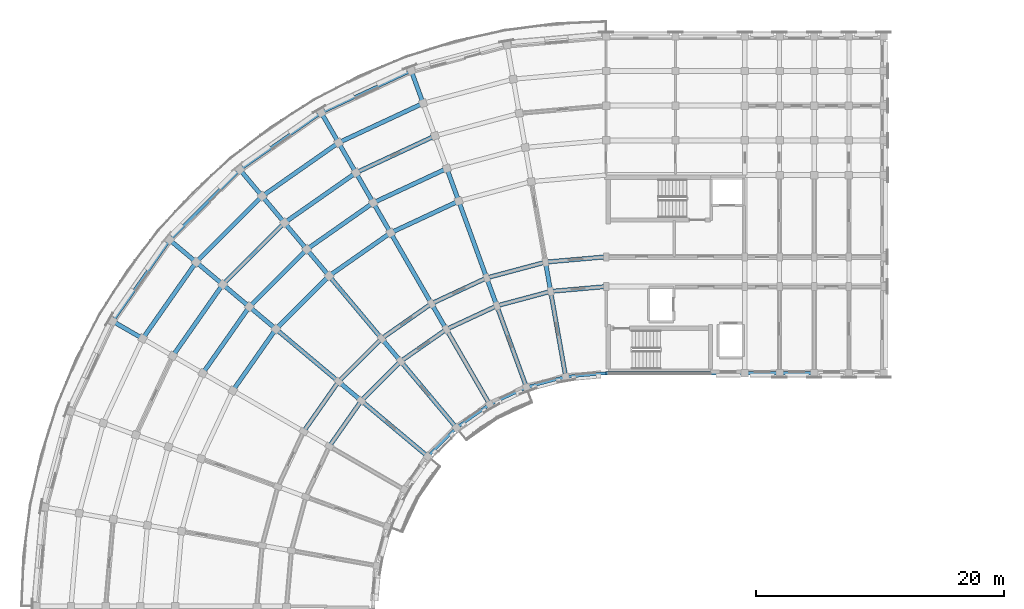
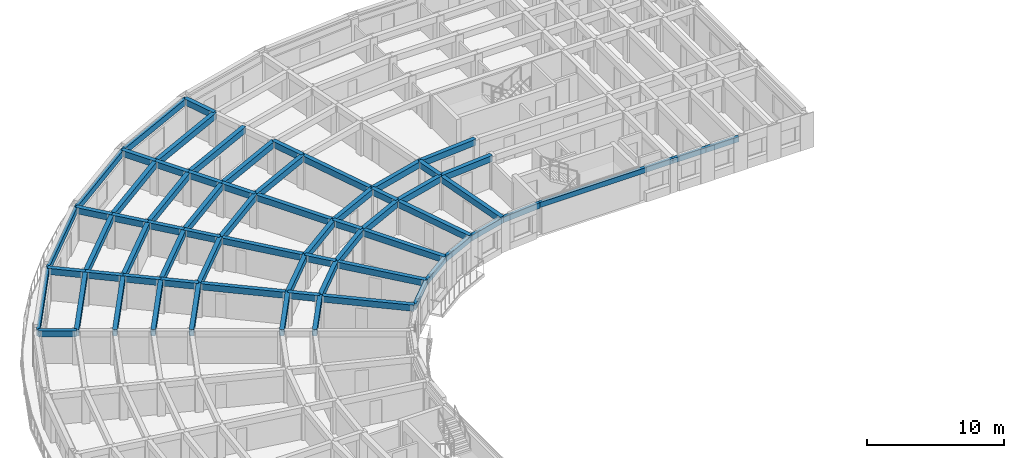
# One storey, part 6 of 53: 69 beams.
"""IFC4 building model written with IfcOpenShell, lengths in metres."""

import ifcopenshell
import ifcopenshell.guid

model = None  # the IFC model being written
_history = None  # IfcOwnerHistory: only IFC2X3 demands one
_inside = {}  # id of a spatial element -> (the spatial element, [elements in it])
_under = {}  # id of a project, library or spatial element -> (it, [spatial elements below it])
_declared = {}  # id of a project -> (the project, [libraries it declares])
_typed = {}  # id of a type object -> (the type object, [elements of that type])
_made_of = {}  # id of a material, layer set ... -> (it, [elements and type objects made of it])


def new_model(schema):
    """Start an empty IFC model of exactly this schema.

    Asked for "IFC4X3", IfcOpenShell would pick the latest addendum, in which some entities
    have other attributes; the version numbers below select the first issue.
    IFC2X3 requires an IfcOwnerHistory on every rooted entity: one is made here for all.
    """
    global model, _history
    if schema == "IFC4X3":
        model = ifcopenshell.file(schema_version=(4, 3, 0, 0))
    else:
        model = ifcopenshell.file(schema=schema)
    _inside.clear()
    _under.clear()
    _declared.clear()
    _typed.clear()
    _made_of.clear()
    _history = None
    if model.schema == "IFC2X3":
        org = make("IfcOrganization", Name="unknown")
        user = make(
            "IfcPersonAndOrganization",
            ThePerson=make("IfcPerson", FamilyName="unknown"),
            TheOrganization=org,
        )
        app = make(
            "IfcApplication",
            ApplicationDeveloper=org,
            Version="unknown",
            ApplicationFullName="unknown",
            ApplicationIdentifier="unknown",
        )
        _history = make(
            "IfcOwnerHistory",
            OwningUser=user,
            OwningApplication=app,
            ChangeAction="ADDED",
            CreationDate=0,
        )
    return model


def make(cls, **values):
    """One entity of the class cls with the attributes given. An attribute that is None is left unset."""
    return model.create_entity(
        cls, **{name: value for name, value in values.items() if value is not None}
    )


def rooted(cls, **values):
    """An entity with a GlobalId (a new one), such as an element, a storey or a relation."""
    return make(cls, GlobalId=ifcopenshell.guid.new(), OwnerHistory=_history, **values)


def si_unit(unit_type, name, prefix=None):
    """IfcSIUnit, for example si_unit("LENGTHUNIT", "METRE", prefix="MILLI")."""
    return make("IfcSIUnit", UnitType=unit_type, Prefix=prefix, Name=name)


def assignment(units):
    """IfcUnitAssignment: the units of a project."""
    return None if units is None else make("IfcUnitAssignment", Units=units)


def point(xyz):
    """IfcCartesianPoint."""
    return None if xyz is None else make("IfcCartesianPoint", Coordinates=xyz)


def direction(xyz):
    """IfcDirection."""
    return None if xyz is None else make("IfcDirection", DirectionRatios=xyz)


def frame(location, z_axis=None, x_axis=None):
    """IfcAxis2Placement3D, a coordinate frame: its origin and axes. An axis left out is left unset."""
    return make(
        "IfcAxis2Placement3D",
        Location=point(location),
        Axis=direction(z_axis),
        RefDirection=direction(x_axis),
    )


def frame_2d(location, x_axis=None):
    """IfcAxis2Placement2D, a coordinate frame in the plane: its origin and x axis."""
    return make(
        "IfcAxis2Placement2D", Location=point(location), RefDirection=direction(x_axis)
    )


def origin():
    """The frame at (0, 0, 0) with its axes left unset."""
    return frame((0.0, 0.0, 0.0))


def origin_2d():
    """The frame at (0, 0) in the plane with its x axis left unset."""
    return frame_2d((0.0, 0.0))


def place(relative_to, where):
    """IfcLocalPlacement: puts the frame where relative to a parent placement (None: the world)."""
    return make(
        "IfcLocalPlacement", PlacementRelTo=relative_to, RelativePlacement=where
    )


def context(
    kind, dimensions, precision=None, world=None, true_north=None, identifier=None
):
    """IfcGeometricRepresentationContext, for example the 3D "Model" context."""
    return make(
        "IfcGeometricRepresentationContext",
        ContextIdentifier=identifier,
        ContextType=kind,
        CoordinateSpaceDimension=dimensions,
        Precision=precision,
        WorldCoordinateSystem=world,
        TrueNorth=true_north,
    )


def subcontext(parent, identifier, kind, view, scale=None):
    """IfcGeometricRepresentationSubContext, for example "Body" below "Model"."""
    return make(
        "IfcGeometricRepresentationSubContext",
        ContextIdentifier=identifier,
        ContextType=kind,
        ParentContext=parent,
        TargetScale=scale,
        TargetView=view,
    )


def project(units=None, contexts=None):
    """IfcProject with its units and contexts."""
    return rooted(
        "IfcProject",
        Name="project",
        RepresentationContexts=contexts,
        UnitsInContext=assignment(units),
    )


def spatial(cls, under=None, at=None, **own):
    """A site, building, storey or space (cls), placed at a placement, below another one or the project."""
    s = rooted(cls, ObjectPlacement=at, **own)
    if under is not None:
        _under.setdefault(under.id(), (under, []))[1].append(s)
    return s


def profile(cls, at=None, kind="AREA", **sizes):
    """A parametric profile (cls). Its sizes go by their IFC names, for example OverallWidth=200.0."""
    return make(cls, ProfileType=kind, Position=at, **sizes)


def rectangle(**sizes):
    """IfcRectangleProfileDef."""
    return profile("IfcRectangleProfileDef", **sizes)


def extrude(swept, where, along, depth):
    """IfcExtrudedAreaSolid: the profile swept, set in the frame where, extruded along a direction by depth."""
    return make(
        "IfcExtrudedAreaSolid",
        SweptArea=swept,
        Position=where,
        ExtrudedDirection=direction(along),
        Depth=depth,
    )


def shape(context_of_items, identifier, shape_type, items):
    """IfcShapeRepresentation: the items that make up one representation, for example the "Body"."""
    return make(
        "IfcShapeRepresentation",
        ContextOfItems=context_of_items,
        RepresentationIdentifier=identifier,
        RepresentationType=shape_type,
        Items=items,
    )


def material(Name=None, Category=None):
    """IfcMaterial."""
    return make("IfcMaterial", Name=Name, Category=Category)


def material_profile(
    of_material, cross_section, Name=None, Category=None, Priority=None
):
    """IfcMaterialProfile: a cross section and its material."""
    return make(
        "IfcMaterialProfile",
        Name=Name,
        Material=of_material,
        Profile=cross_section,
        Priority=Priority,
        Category=Category,
    )


def profile_set(profiles, Name=None, composite=None):
    """IfcMaterialProfileSet."""
    return make(
        "IfcMaterialProfileSet",
        Name=Name,
        MaterialProfiles=profiles,
        CompositeProfile=composite,
    )


def made_of(thing, what):
    """Note that an element or type object is made of a material, layer set ...; save() writes the relation."""
    if what is not None:
        _made_of.setdefault(what.id(), (what, []))[1].append(thing)
    return thing


def type_object(cls, material=None, **own):
    """A type object (cls), such as IfcWallType, which elements share."""
    return made_of(rooted(cls, **own), material)


def element(
    cls,
    number,
    at=None,
    inside=None,
    cuts=None,
    type_object=None,
    material=None,
    context=None,
    identifier="Body",
    shape_type=None,
    held_by="IfcProductDefinitionShape",
    body=None,
    shapes=None,
    **own,
):
    """One element of the class cls, such as IfcWall. Its Tag is "e" and its number.

    at: its placement. inside: the storey or other place that contains it. cuts: it is an
    opening in that element (IfcRelVoidsElement). A single representation is given by context,
    identifier, shape_type and body (its items); several are given by shapes. held_by: the class
    of the entity that holds the representations. save() writes the other relations.
    """
    e = rooted(cls, Tag="e%d" % number, ObjectPlacement=at, **own)
    if body is not None:
        shapes = [shape(context, identifier, shape_type, body)]
    if shapes is not None:
        e.Representation = make(held_by, Representations=shapes)
    if inside is not None:
        _inside.setdefault(inside.id(), (inside, []))[1].append(e)
    if cuts is not None:
        rooted(
            "IfcRelVoidsElement", RelatingBuildingElement=cuts, RelatedOpeningElement=e
        )
    if type_object is not None:
        _typed.setdefault(type_object.id(), (type_object, []))[1].append(e)
    return made_of(e, material)


def aggregate(whole, parts):
    """IfcRelAggregates: a whole, such as a stair, and the parts it consists of."""
    return rooted("IfcRelAggregates", RelatingObject=whole, RelatedObjects=parts)


def save(model, path):
    """Write the relations noted so far, then the file.

    IfcRelAggregates (storeys below a building ...), IfcRelContainedInSpatialStructure (elements
    in a storey), IfcRelDefinesByType, IfcRelAssociatesMaterial and IfcRelDeclares: one each for
    every whole, place, type object, material and project.
    """
    for whole, parts in _under.values():
        aggregate(whole, parts)
    for where, things in _inside.values():
        rooted(
            "IfcRelContainedInSpatialStructure",
            RelatedElements=things,
            RelatingStructure=where,
        )
    for kind, things in _typed.values():
        rooted("IfcRelDefinesByType", RelatedObjects=things, RelatingType=kind)
    for what, things in _made_of.values():
        rooted("IfcRelAssociatesMaterial", RelatedObjects=things, RelatingMaterial=what)
    for by, libraries in _declared.values():
        rooted("IfcRelDeclares", RelatingContext=by, RelatedDefinitions=libraries)
    model.write(path)


model = new_model("IFC4")

# Units and contexts
model_context = context("Model", 3, precision=1e-05, world=origin(), true_north=direction((0.0, 1.0)))
body_context = subcontext(model_context, "Body", "Model", "MODEL_VIEW")
ifc_project = project(units=[si_unit("LENGTHUNIT", "METRE"), si_unit("AREAUNIT", "SQUARE_METRE"), si_unit("VOLUMEUNIT", "CUBIC_METRE"), si_unit("PLANEANGLEUNIT", "RADIAN"), si_unit("MASSUNIT", "GRAM", prefix="KILO")], contexts=[model_context])

# Site, building, storey
site_placement = place(None, origin())
site = spatial("IfcSite", under=ifc_project, at=site_placement, CompositionType="ELEMENT")
building_placement = place(site_placement, origin())
building = spatial("IfcBuilding", under=site, at=building_placement, Name="Kiranvali Square Residences", CompositionType="ELEMENT")
storey_placement = place(building_placement, frame((0.0, 0.0, 30.75)))
storey = spatial("IfcBuildingStorey", under=building, at=storey_placement, Name="L09", CompositionType="ELEMENT", Elevation=30.75)

# Beams
ifc_material = material(Name="Concrete M40 (40 MPa)", Category="concrete")
ifc_material_profile_1 = material_profile(ifc_material, rectangle(XDim=0.35009765625, YDim=0.550048828125, at=origin_2d()), Name="RC 350x550")
ifc_profile_set_1 = profile_set([ifc_material_profile_1], Name="Concrete M40 (40 MPa)")
beam_type_1 = type_object("IfcBeamType", Name="BM-M40-350x550", PredefinedType="BEAM", material=ifc_profile_set_1)
beam_1_placement = place(storey_placement, frame((48.199951171875, 113.60009765625, 2.655029296875), z_axis=(-0.996191949488, -0.087187153726, 0.0), x_axis=(0.087187153726, -0.996191949488, 0.0)))
element("IfcBeam", 1, at=beam_1_placement, inside=storey, type_object=beam_type_1, Name="L09 beam BM-A-L09-C00-R1", PredefinedType="BEAM", context=body_context, shape_type="SweptSolid", body=[
    extrude(rectangle(XDim=0.35009765625, YDim=0.550048828125, at=origin_2d()), origin(), (0.0, 0.0, 1.0), 4.4970703125),
])
beam_2_placement = place(storey_placement, frame((48.199951171875, 116.0, 2.655029296875), z_axis=(-0.996193663584, -0.087167566415, 0.0), x_axis=(0.087167566415, -0.996193663584, 0.0)))
element("IfcBeam", 2, at=beam_2_placement, inside=storey, type_object=beam_type_1, Name="L09 beam BM-A-L09-C00-R2", PredefinedType="BEAM", context=body_context, shape_type="SweptSolid", body=[
    extrude(rectangle(XDim=0.35009765625, YDim=0.550048828125, at=origin_2d()), origin(), (0.0, 0.0, 1.0), 4.91552734375),
])
beam_3_placement = place(storey_placement, frame((43.719970703125, 113.2080078125, 2.655029296875), z_axis=(-0.965934240054, -0.258787642463, 0.0), x_axis=(0.258787642463, -0.965934240054, 0.0)))
element("IfcBeam", 3, at=beam_3_placement, inside=storey, type_object=beam_type_1, Name="L09 beam BM-A-L09-C01-R1", PredefinedType="BEAM", context=body_context, shape_type="SweptSolid", body=[
    extrude(rectangle(XDim=0.35009765625, YDim=0.550048828125, at=origin_2d()), origin(), (0.0, 0.0, 1.0), 4.497314453125),
])
beam_4_placement = place(storey_placement, frame((43.30322265625, 115.571533203125, 2.655029296875), z_axis=(-0.965930095386, -0.258803112091, 0.0), x_axis=(0.258803112091, -0.965930095386, 0.0)))
element("IfcBeam", 4, at=beam_4_placement, inside=storey, type_object=beam_type_1, Name="L09 beam BM-A-L09-C01-R2", PredefinedType="BEAM", context=body_context, shape_type="SweptSolid", body=[
    extrude(rectangle(XDim=0.35009765625, YDim=0.550048828125, at=origin_2d()), origin(), (0.0, 0.0, 1.0), 4.915771484375),
])
beam_5_placement = place(storey_placement, frame((39.3759765625, 112.044189453125, 2.655029296875), z_axis=(-0.906307919131, -0.422617978463, 0.0), x_axis=(0.422617978463, -0.906307919131, 0.0)))
element("IfcBeam", 5, at=beam_5_placement, inside=storey, type_object=beam_type_1, Name="L09 beam BM-A-L09-C02-R1", PredefinedType="BEAM", context=body_context, shape_type="SweptSolid", body=[
    extrude(rectangle(XDim=0.35009765625, YDim=0.550048828125, at=origin_2d()), origin(), (0.0, 0.0, 1.0), 4.497314453125),
])
beam_6_placement = place(storey_placement, frame((38.554931640625, 114.29931640625, 2.655029296875), z_axis=(-0.906302381024, -0.422629854778, 0.0), x_axis=(0.422629854778, -0.906302381024, 0.0)))
element("IfcBeam", 6, at=beam_6_placement, inside=storey, type_object=beam_type_1, Name="L09 beam BM-A-L09-C02-R2", PredefinedType="BEAM", context=body_context, shape_type="SweptSolid", body=[
    extrude(rectangle(XDim=0.35009765625, YDim=0.550048828125, at=origin_2d()), origin(), (0.0, 0.0, 1.0), 4.915283203125),
])
beam_7_placement = place(storey_placement, frame((36.297607421875, 120.501220703125, 2.655029296875), z_axis=(-0.906312656069, -0.42260781991, 0.0), x_axis=(0.42260781991, -0.906312656069, 0.0)))
element("IfcBeam", 7, at=beam_7_placement, inside=storey, type_object=beam_type_1, Name="L09 beam BM-A-L09-C02-R3", PredefinedType="BEAM", context=body_context, shape_type="SweptSolid", body=[
    extrude(rectangle(XDim=0.35009765625, YDim=0.550048828125, at=origin_2d()), origin(), (0.0, 0.0, 1.0), 6.06591796875),
])
beam_8_placement = place(storey_placement, frame((35.340087890625, 123.13232421875, 2.655029296875), z_axis=(-0.906318225223, -0.422595876255, 0.0), x_axis=(0.422595876255, -0.906318225223, 0.0)))
element("IfcBeam", 8, at=beam_8_placement, inside=storey, type_object=beam_type_1, Name="L09 beam BM-A-L09-C02-R4", PredefinedType="BEAM", context=body_context, shape_type="SweptSolid", body=[
    extrude(rectangle(XDim=0.35009765625, YDim=0.550048828125, at=origin_2d()), origin(), (0.0, 0.0, 1.0), 6.55419921875),
])
beam_9_placement = place(storey_placement, frame((34.38232421875, 125.763671875, 2.655029296875), z_axis=(-0.906297360311, -0.422640621205, 0.0), x_axis=(0.422640621205, -0.906297360311, 0.0)))
element("IfcBeam", 9, at=beam_9_placement, inside=storey, type_object=beam_type_1, Name="L09 beam BM-A-L09-C02-R5", PredefinedType="BEAM", context=body_context, shape_type="SweptSolid", body=[
    extrude(rectangle(XDim=0.35009765625, YDim=0.550048828125, at=origin_2d()), origin(), (0.0, 0.0, 1.0), 7.042236328125),
])
beam_10_placement = place(storey_placement, frame((33.4248046875, 128.394775390625, 2.655029296875), z_axis=(-0.90630982703, -0.422613886933, 0.0), x_axis=(0.422613886933, -0.90630982703, 0.0)))
element("IfcBeam", 10, at=beam_10_placement, inside=storey, type_object=beam_type_1, Name="L09 beam BM-A-L09-C02-R6", PredefinedType="BEAM", context=body_context, shape_type="SweptSolid", body=[
    extrude(rectangle(XDim=0.35009765625, YDim=0.550048828125, at=origin_2d()), origin(), (0.0, 0.0, 1.0), 7.5302734375),
])
beam_11_placement = place(storey_placement, frame((35.300048828125, 110.1435546875, 2.655029296875), z_axis=(-0.819155404658, -0.573571637217, 0.0), x_axis=(0.573571637217, -0.819155404658, 0.0)))
element("IfcBeam", 11, at=beam_11_placement, inside=storey, type_object=beam_type_1, Name="L09 beam BM-A-L09-C03-R1", PredefinedType="BEAM", context=body_context, shape_type="SweptSolid", body=[
    extrude(rectangle(XDim=0.35009765625, YDim=0.550048828125, at=origin_2d()), origin(), (0.0, 0.0, 1.0), 4.497314453125),
])
beam_12_placement = place(storey_placement, frame((34.10009765625, 112.221923828125, 2.655029296875), z_axis=(-0.819140911474, -0.573592335331, 0.0), x_axis=(0.573592335331, -0.819140911474, 0.0)))
element("IfcBeam", 12, at=beam_12_placement, inside=storey, type_object=beam_type_1, Name="L09 beam BM-A-L09-C03-R2", PredefinedType="BEAM", context=body_context, shape_type="SweptSolid", body=[
    extrude(rectangle(XDim=0.35009765625, YDim=0.550048828125, at=origin_2d()), origin(), (0.0, 0.0, 1.0), 4.915771484375),
])
beam_13_placement = place(storey_placement, frame((30.800048828125, 117.937744140625, 2.655029296875), z_axis=(-0.81913926159, -0.573594691504, 0.0), x_axis=(0.573594691504, -0.81913926159, 0.0)))
element("IfcBeam", 13, at=beam_13_placement, inside=storey, type_object=beam_type_1, Name="L09 beam BM-A-L09-C03-R3", PredefinedType="BEAM", context=body_context, shape_type="SweptSolid", body=[
    extrude(rectangle(XDim=0.35009765625, YDim=0.550048828125, at=origin_2d()), origin(), (0.0, 0.0, 1.0), 6.066162109375),
])
beam_14_placement = place(storey_placement, frame((29.39990234375, 120.362548828125, 2.655029296875), z_axis=(-0.819144409176, -0.573587340268, 0.0), x_axis=(0.573587340268, -0.819144409176, 0.0)))
element("IfcBeam", 14, at=beam_14_placement, inside=storey, type_object=beam_type_1, Name="L09 beam BM-A-L09-C03-R4", PredefinedType="BEAM", context=body_context, shape_type="SweptSolid", body=[
    extrude(rectangle(XDim=0.35009765625, YDim=0.550048828125, at=origin_2d()), origin(), (0.0, 0.0, 1.0), 6.553955078125),
])
beam_15_placement = place(storey_placement, frame((28.0, 122.787353515625, 2.655029296875), z_axis=(-0.819160249246, -0.57356471828, 0.0), x_axis=(0.57356471828, -0.819160249246, 0.0)))
element("IfcBeam", 15, at=beam_15_placement, inside=storey, type_object=beam_type_1, Name="L09 beam BM-A-L09-C03-R5", PredefinedType="BEAM", context=body_context, shape_type="SweptSolid", body=[
    extrude(rectangle(XDim=0.35009765625, YDim=0.550048828125, at=origin_2d()), origin(), (0.0, 0.0, 1.0), 7.0419921875),
])
beam_16_placement = place(storey_placement, frame((26.60009765625, 125.21240234375, 2.655029296875), z_axis=(-0.819143569597, -0.573588539275, 0.0), x_axis=(0.573588539275, -0.819143569597, 0.0)))
element("IfcBeam", 16, at=beam_16_placement, inside=storey, type_object=beam_type_1, Name="L09 beam BM-A-L09-C03-R6", PredefinedType="BEAM", context=body_context, shape_type="SweptSolid", body=[
    extrude(rectangle(XDim=0.35009765625, YDim=0.550048828125, at=origin_2d()), origin(), (0.0, 0.0, 1.0), 7.5302734375),
])
beam_17_placement = place(storey_placement, frame((31.615966796875, 107.56396484375, 2.655029296875), z_axis=(-0.707106781187, -0.707106781187, 0.0), x_axis=(0.707106781187, -0.707106781187, 0.0)))
element("IfcBeam", 17, at=beam_17_placement, inside=storey, type_object=beam_type_1, Name="L09 beam BM-A-L09-C04-R1", PredefinedType="BEAM", context=body_context, shape_type="SweptSolid", body=[
    extrude(rectangle(XDim=0.35009765625, YDim=0.550048828125, at=origin_2d()), origin(), (0.0, 0.0, 1.0), 4.4970703125),
])
beam_18_placement = place(storey_placement, frame((30.073486328125, 109.40234375, 2.655029296875), z_axis=(-0.707106781187, -0.707106781187, 0.0), x_axis=(0.707106781187, -0.707106781187, 0.0)))
element("IfcBeam", 18, at=beam_18_placement, inside=storey, type_object=beam_type_1, Name="L09 beam BM-A-L09-C04-R2", PredefinedType="BEAM", context=body_context, shape_type="SweptSolid", body=[
    extrude(rectangle(XDim=0.35009765625, YDim=0.550048828125, at=origin_2d()), origin(), (0.0, 0.0, 1.0), 4.91552734375),
])
beam_19_placement = place(storey_placement, frame((25.8310546875, 114.458251953125, 2.655029296875), z_axis=(-0.707106781187, -0.707106781187, 0.0), x_axis=(0.707106781187, -0.707106781187, 0.0)))
element("IfcBeam", 19, at=beam_19_placement, inside=storey, type_object=beam_type_1, Name="L09 beam BM-A-L09-C04-R3", PredefinedType="BEAM", context=body_context, shape_type="SweptSolid", body=[
    extrude(rectangle(XDim=0.35009765625, YDim=0.550048828125, at=origin_2d()), origin(), (0.0, 0.0, 1.0), 6.06591796875),
])
beam_20_placement = place(storey_placement, frame((24.03125, 116.603271484375, 2.655029296875), z_axis=(-0.707106781187, -0.707106781187, 0.0), x_axis=(0.707106781187, -0.707106781187, 0.0)))
element("IfcBeam", 20, at=beam_20_placement, inside=storey, type_object=beam_type_1, Name="L09 beam BM-A-L09-C04-R4", PredefinedType="BEAM", context=body_context, shape_type="SweptSolid", body=[
    extrude(rectangle(XDim=0.35009765625, YDim=0.550048828125, at=origin_2d()), origin(), (0.0, 0.0, 1.0), 6.55419921875),
])
beam_21_placement = place(storey_placement, frame((22.2314453125, 118.748291015625, 2.655029296875), z_axis=(-0.707106781187, -0.707106781187, 0.0), x_axis=(0.707106781187, -0.707106781187, 0.0)))
element("IfcBeam", 21, at=beam_21_placement, inside=storey, type_object=beam_type_1, Name="L09 beam BM-A-L09-C04-R5", PredefinedType="BEAM", context=body_context, shape_type="SweptSolid", body=[
    extrude(rectangle(XDim=0.35009765625, YDim=0.550048828125, at=origin_2d()), origin(), (0.0, 0.0, 1.0), 7.04248046875),
])
beam_22_placement = place(storey_placement, frame((20.431640625, 120.89306640625, 2.655029296875), z_axis=(-0.707106781187, -0.707106781187, 0.0), x_axis=(0.707106781187, -0.707106781187, 0.0)))
element("IfcBeam", 22, at=beam_22_placement, inside=storey, type_object=beam_type_1, Name="L09 beam BM-A-L09-C04-R6", PredefinedType="BEAM", context=body_context, shape_type="SweptSolid", body=[
    extrude(rectangle(XDim=0.35009765625, YDim=0.550048828125, at=origin_2d()), origin(), (0.0, 0.0, 1.0), 7.5302734375),
])
beam_23_placement = place(storey_placement, frame((28.43603515625, 104.384033203125, 2.655029296875), z_axis=(-0.573571637217, -0.819155404658, 0.0), x_axis=(0.819155404658, -0.573571637217, 0.0)))
element("IfcBeam", 23, at=beam_23_placement, inside=storey, type_object=beam_type_1, Name="L09 beam BM-A-L09-C05-R1", PredefinedType="BEAM", context=body_context, shape_type="SweptSolid", body=[
    extrude(rectangle(XDim=0.35009765625, YDim=0.550048828125, at=origin_2d()), origin(), (0.0, 0.0, 1.0), 4.497314453125),
])
beam_24_placement = place(storey_placement, frame((26.59765625, 105.926513671875, 2.655029296875), z_axis=(-0.573592335331, -0.819140911474, 0.0), x_axis=(0.819140911474, -0.573592335331, 0.0)))
element("IfcBeam", 24, at=beam_24_placement, inside=storey, type_object=beam_type_1, Name="L09 beam BM-A-L09-C05-R2", PredefinedType="BEAM", context=body_context, shape_type="SweptSolid", body=[
    extrude(rectangle(XDim=0.35009765625, YDim=0.550048828125, at=origin_2d()), origin(), (0.0, 0.0, 1.0), 4.915771484375),
])
beam_25_placement = place(storey_placement, frame((21.541748046875, 110.1689453125, 2.655029296875), z_axis=(-0.573594691504, -0.81913926159, 0.0), x_axis=(0.81913926159, -0.573594691504, 0.0)))
element("IfcBeam", 25, at=beam_25_placement, inside=storey, type_object=beam_type_1, Name="L09 beam BM-A-L09-C05-R3", PredefinedType="BEAM", context=body_context, shape_type="SweptSolid", body=[
    extrude(rectangle(XDim=0.35009765625, YDim=0.550048828125, at=origin_2d()), origin(), (0.0, 0.0, 1.0), 6.066162109375),
])
beam_26_placement = place(storey_placement, frame((19.396728515625, 111.96875, 2.655029296875), z_axis=(-0.573587340268, -0.819144409176, 0.0), x_axis=(0.819144409176, -0.573587340268, 0.0)))
element("IfcBeam", 26, at=beam_26_placement, inside=storey, type_object=beam_type_1, Name="L09 beam BM-A-L09-C05-R4", PredefinedType="BEAM", context=body_context, shape_type="SweptSolid", body=[
    extrude(rectangle(XDim=0.35009765625, YDim=0.550048828125, at=origin_2d()), origin(), (0.0, 0.0, 1.0), 6.553955078125),
])
beam_27_placement = place(storey_placement, frame((17.251708984375, 113.7685546875, 2.655029296875), z_axis=(-0.57356471828, -0.819160249246, 0.0), x_axis=(0.819160249246, -0.57356471828, 0.0)))
element("IfcBeam", 27, at=beam_27_placement, inside=storey, type_object=beam_type_1, Name="L09 beam BM-A-L09-C05-R5", PredefinedType="BEAM", context=body_context, shape_type="SweptSolid", body=[
    extrude(rectangle(XDim=0.35009765625, YDim=0.550048828125, at=origin_2d()), origin(), (0.0, 0.0, 1.0), 7.0419921875),
])
beam_28_placement = place(storey_placement, frame((15.10693359375, 115.568359375, 2.655029296875), z_axis=(-0.573588539275, -0.819143569597, 0.0), x_axis=(0.819143569597, -0.573588539275, 0.0)))
element("IfcBeam", 28, at=beam_28_placement, inside=storey, type_object=beam_type_1, Name="L09 beam BM-A-L09-C05-R6", PredefinedType="BEAM", context=body_context, shape_type="SweptSolid", body=[
    extrude(rectangle(XDim=0.35009765625, YDim=0.550048828125, at=origin_2d()), origin(), (0.0, 0.0, 1.0), 7.5302734375),
])
beam_29_placement = place(storey_placement, frame((44.935302734375, 106.314453125, 2.655029296875), z_axis=(-0.173622177865, 0.984812337125, 0.0), x_axis=(-0.984812337125, -0.173622177865, 0.0)))
element("IfcBeam", 29, at=beam_29_placement, inside=storey, type_object=beam_type_1, Name="L09 beam BM-A-L09-RAD01-01", PredefinedType="BEAM", context=body_context, shape_type="SweptSolid", body=[
    extrude(rectangle(XDim=0.35009765625, YDim=0.550048828125, at=origin_2d()), origin(), (0.0, 0.0, 1.0), 6.999755859375),
])
beam_30_placement = place(storey_placement, frame((43.719970703125, 113.2080078125, 2.655029296875), z_axis=(-0.173646056486, 0.984808127031, 0.0), x_axis=(-0.984808127031, -0.173646056486, 0.0)))
element("IfcBeam", 30, at=beam_30_placement, inside=storey, type_object=beam_type_1, Name="L09 beam BM-A-L09-RAD01-12", PredefinedType="BEAM", context=body_context, shape_type="SweptSolid", body=[
    extrude(rectangle(XDim=0.35009765625, YDim=0.550048828125, at=origin_2d()), origin(), (0.0, 0.0, 1.0), 2.39990234375),
])
beam_31_placement = place(storey_placement, frame((41.77001953125, 105.46630859375, 2.655029296875), z_axis=(-0.342006283793, 0.939697665127, 0.0), x_axis=(-0.939697665127, -0.342006283793, 0.0)))
element("IfcBeam", 31, at=beam_31_placement, inside=storey, type_object=beam_type_1, Name="L09 beam BM-A-L09-RAD02-01", PredefinedType="BEAM", context=body_context, shape_type="SweptSolid", body=[
    extrude(rectangle(XDim=0.35009765625, YDim=0.550048828125, at=origin_2d()), origin(), (0.0, 0.0, 1.0), 7.0),
])
beam_32_placement = place(storey_placement, frame((39.3759765625, 112.044189453125, 2.655029296875), z_axis=(-0.342110593602, 0.939659694648, 0.0), x_axis=(-0.939659694648, -0.342110593602, 0.0)))
element("IfcBeam", 32, at=beam_32_placement, inside=storey, type_object=beam_type_1, Name="L09 beam BM-A-L09-RAD02-12", PredefinedType="BEAM", context=body_context, shape_type="SweptSolid", body=[
    extrude(rectangle(XDim=0.35009765625, YDim=0.550048828125, at=origin_2d()), origin(), (0.0, 0.0, 1.0), 2.39990234375),
])
beam_33_placement = place(storey_placement, frame((38.554931640625, 114.29931640625, 2.655029296875), z_axis=(-0.342022238372, 0.939691858249, 0.0), x_axis=(-0.939691858249, -0.342022238372, 0.0)))
element("IfcBeam", 33, at=beam_33_placement, inside=storey, type_object=beam_type_1, Name="L09 beam BM-A-L09-RAD02-23", PredefinedType="BEAM", context=body_context, shape_type="SweptSolid", body=[
    extrude(rectangle(XDim=0.35009765625, YDim=0.550048828125, at=origin_2d()), origin(), (0.0, 0.0, 1.0), 6.599853515625),
])
beam_34_placement = place(storey_placement, frame((36.297607421875, 120.501220703125, 2.655029296875), z_axis=(-0.341981089711, 0.93970683422, 0.0), x_axis=(-0.93970683422, -0.341981089711, 0.0)))
element("IfcBeam", 34, at=beam_34_placement, inside=storey, type_object=beam_type_1, Name="L09 beam BM-A-L09-RAD02-34", PredefinedType="BEAM", context=body_context, shape_type="SweptSolid", body=[
    extrude(rectangle(XDim=0.35009765625, YDim=0.550048828125, at=origin_2d()), origin(), (0.0, 0.0, 1.0), 2.7998046875),
])
beam_35_placement = place(storey_placement, frame((33.4248046875, 128.394775390625, 2.655029296875), z_axis=(-0.342058084236, 0.939678810556, 0.0), x_axis=(-0.939678810556, -0.342058084236, 0.0)))
element("IfcBeam", 35, at=beam_35_placement, inside=storey, type_object=beam_type_1, Name="L09 beam BM-A-L09-RAD02-67", PredefinedType="BEAM", context=body_context, shape_type="SweptSolid", body=[
    extrude(rectangle(XDim=0.35009765625, YDim=0.550048828125, at=origin_2d()), origin(), (0.0, 0.0, 1.0), 2.800048828125),
])
beam_36_placement = place(storey_placement, frame((38.800048828125, 104.081298828125, 2.655029296875), z_axis=(-0.499995173006, 0.866028190633, 0.0), x_axis=(-0.866028190633, -0.499995173006, 0.0)))
element("IfcBeam", 36, at=beam_36_placement, inside=storey, type_object=beam_type_1, Name="L09 beam BM-A-L09-RAD03-01", PredefinedType="BEAM", context=body_context, shape_type="SweptSolid", body=[
    extrude(rectangle(XDim=0.35009765625, YDim=0.550048828125, at=origin_2d()), origin(), (0.0, 0.0, 1.0), 7.0),
])
beam_37_placement = place(storey_placement, frame((35.300048828125, 110.1435546875, 2.655029296875), z_axis=(-0.500001309137, 0.866024647952, 0.0), x_axis=(-0.866024647952, -0.500001309137, 0.0)))
element("IfcBeam", 37, at=beam_37_placement, inside=storey, type_object=beam_type_1, Name="L09 beam BM-A-L09-RAD03-12", PredefinedType="BEAM", context=body_context, shape_type="SweptSolid", body=[
    extrude(rectangle(XDim=0.35009765625, YDim=0.550048828125, at=origin_2d()), origin(), (0.0, 0.0, 1.0), 2.39990234375),
])
beam_38_placement = place(storey_placement, frame((34.10009765625, 112.221923828125, 2.655029296875), z_axis=(-0.500002094529, 0.866024194504, 0.0), x_axis=(-0.866024194504, -0.500002094529, 0.0)))
element("IfcBeam", 38, at=beam_38_placement, inside=storey, type_object=beam_type_1, Name="L09 beam BM-A-L09-RAD03-23", PredefinedType="BEAM", context=body_context, shape_type="SweptSolid", body=[
    extrude(rectangle(XDim=0.35009765625, YDim=0.550048828125, at=origin_2d()), origin(), (0.0, 0.0, 1.0), 6.60009765625),
])
beam_39_placement = place(storey_placement, frame((30.800048828125, 117.937744140625, 2.655029296875), z_axis=(-0.500049511043, 0.865996816683, 0.0), x_axis=(-0.865996816683, -0.500049511043, 0.0)))
element("IfcBeam", 39, at=beam_39_placement, inside=storey, type_object=beam_type_1, Name="L09 beam BM-A-L09-RAD03-34", PredefinedType="BEAM", context=body_context, shape_type="SweptSolid", body=[
    extrude(rectangle(XDim=0.35009765625, YDim=0.550048828125, at=origin_2d()), origin(), (0.0, 0.0, 1.0), 2.800048828125),
])
beam_40_placement = place(storey_placement, frame((29.39990234375, 120.362548828125, 2.655029296875), z_axis=(-0.49998411664, 0.866034573852, 0.0), x_axis=(-0.866034573852, -0.49998411664, 0.0)))
element("IfcBeam", 40, at=beam_40_placement, inside=storey, type_object=beam_type_1, Name="L09 beam BM-A-L09-RAD03-45", PredefinedType="BEAM", context=body_context, shape_type="SweptSolid", body=[
    extrude(rectangle(XDim=0.35009765625, YDim=0.550048828125, at=origin_2d()), origin(), (0.0, 0.0, 1.0), 2.7998046875),
])
for number, where, z_axis, x_axis, name in (
    (41, (28.0, 122.787353515625, 2.655029296875), (-0.49994636267, 0.866056369097, 0.0), (-0.866056369097, -0.49994636267, 0.0), "L09 beam BM-A-L09-RAD03-56"),
    (42, (26.60009765625, 125.21240234375, 2.655029296875), (-0.500049511043, 0.865996816683, 0.0), (-0.865996816683, -0.500049511043, 0.0), "L09 beam BM-A-L09-RAD03-67"),
):
    element("IfcBeam", number, at=place(storey_placement, frame(where, z_axis=z_axis, x_axis=x_axis)), inside=storey, type_object=beam_type_1, Name=name, PredefinedType="BEAM", context=body_context, shape_type="SweptSolid", body=[
        extrude(rectangle(XDim=0.35009765625, YDim=0.550048828125, at=origin_2d()), origin(), (0.0, 0.0, 1.0), 2.800048828125),
    ])
beam_41_placement = place(storey_placement, frame((36.115478515625, 102.20166015625, 2.655029296875), z_axis=(-0.642787931032, 0.766044173478, 0.0), x_axis=(-0.766044173478, -0.642787931032, 0.0)))
element("IfcBeam", 43, at=beam_41_placement, inside=storey, type_object=beam_type_1, Name="L09 beam BM-A-L09-RAD04-01", PredefinedType="BEAM", context=body_context, shape_type="SweptSolid", body=[
    extrude(rectangle(XDim=0.35009765625, YDim=0.550048828125, at=origin_2d()), origin(), (0.0, 0.0, 1.0), 7.0),
])
beam_42_placement = place(storey_placement, frame((31.615966796875, 107.56396484375, 2.655029296875), z_axis=(-0.642762521781, 0.766065493671, 0.0), x_axis=(-0.766065493671, -0.642762521781, 0.0)))
element("IfcBeam", 44, at=beam_42_placement, inside=storey, type_object=beam_type_1, Name="L09 beam BM-A-L09-RAD04-12", PredefinedType="BEAM", context=body_context, shape_type="SweptSolid", body=[
    extrude(rectangle(XDim=0.35009765625, YDim=0.550048828125, at=origin_2d()), origin(), (0.0, 0.0, 1.0), 2.399658203125),
])
beam_43_placement = place(storey_placement, frame((30.073486328125, 109.40234375, 2.655029296875), z_axis=(-0.642789470807, 0.766042881449, 0.0), x_axis=(-0.766042881449, -0.642789470807, 0.0)))
element("IfcBeam", 45, at=beam_43_placement, inside=storey, type_object=beam_type_1, Name="L09 beam BM-A-L09-RAD04-23", PredefinedType="BEAM", context=body_context, shape_type="SweptSolid", body=[
    extrude(rectangle(XDim=0.35009765625, YDim=0.550048828125, at=origin_2d()), origin(), (0.0, 0.0, 1.0), 6.60009765625),
])
for number, where, z_axis, x_axis, name in (
    (46, (25.8310546875, 114.458251953125, 2.655029296875), (-0.642770757628, 0.766058583359, 0.0), (-0.766058583359, -0.642770757628, 0.0), "L09 beam BM-A-L09-RAD04-34"),
    (47, (24.03125, 116.603271484375, 2.655029296875), (-0.642770757628, 0.766058583359, 0.0), (-0.766058583359, -0.642770757628, 0.0), "L09 beam BM-A-L09-RAD04-45"),
):
    element("IfcBeam", number, at=place(storey_placement, frame(where, z_axis=z_axis, x_axis=x_axis)), inside=storey, type_object=beam_type_1, Name=name, PredefinedType="BEAM", context=body_context, shape_type="SweptSolid", body=[
        extrude(rectangle(XDim=0.35009765625, YDim=0.550048828125, at=origin_2d()), origin(), (0.0, 0.0, 1.0), 2.800048828125),
    ])
beam_44_placement = place(storey_placement, frame((22.2314453125, 118.748291015625, 2.655029296875), z_axis=(-0.642813692253, 0.76602255649, 0.0), x_axis=(-0.76602255649, -0.642813692253, 0.0)))
element("IfcBeam", 48, at=beam_44_placement, inside=storey, type_object=beam_type_1, Name="L09 beam BM-A-L09-RAD04-56", PredefinedType="BEAM", context=body_context, shape_type="SweptSolid", body=[
    extrude(rectangle(XDim=0.35009765625, YDim=0.550048828125, at=origin_2d()), origin(), (0.0, 0.0, 1.0), 2.7998046875),
])
beam_45_placement = place(storey_placement, frame((20.431640625, 120.89306640625, 2.655029296875), z_axis=(-0.642770757628, 0.766058583359, 0.0), x_axis=(-0.766058583359, -0.642770757628, 0.0)))
element("IfcBeam", 49, at=beam_45_placement, inside=storey, type_object=beam_type_1, Name="L09 beam BM-A-L09-RAD04-67", PredefinedType="BEAM", context=body_context, shape_type="SweptSolid", body=[
    extrude(rectangle(XDim=0.35009765625, YDim=0.550048828125, at=origin_2d()), origin(), (0.0, 0.0, 1.0), 2.800048828125),
])
beam_46_placement = place(storey_placement, frame((33.79833984375, 99.884521484375, 2.655029296875), z_axis=(-0.766044173478, 0.642787931032, 0.0), x_axis=(-0.642787931032, -0.766044173478, 0.0)))
element("IfcBeam", 50, at=beam_46_placement, inside=storey, type_object=beam_type_1, Name="L09 beam BM-A-L09-RAD05-01", PredefinedType="BEAM", context=body_context, shape_type="SweptSolid", body=[
    extrude(rectangle(XDim=0.35009765625, YDim=0.550048828125, at=origin_2d()), origin(), (0.0, 0.0, 1.0), 7.0),
])
beam_47_placement = place(storey_placement, frame((28.43603515625, 104.384033203125, 2.655029296875), z_axis=(-0.766065493671, 0.642762521781, 0.0), x_axis=(-0.642762521781, -0.766065493671, 0.0)))
element("IfcBeam", 51, at=beam_47_placement, inside=storey, type_object=beam_type_1, Name="L09 beam BM-A-L09-RAD05-12", PredefinedType="BEAM", context=body_context, shape_type="SweptSolid", body=[
    extrude(rectangle(XDim=0.35009765625, YDim=0.550048828125, at=origin_2d()), origin(), (0.0, 0.0, 1.0), 2.399658203125),
])
beam_48_placement = place(storey_placement, frame((26.59765625, 105.926513671875, 2.655029296875), z_axis=(-0.766042881449, 0.642789470807, 0.0), x_axis=(-0.642789470807, -0.766042881449, 0.0)))
element("IfcBeam", 52, at=beam_48_placement, inside=storey, type_object=beam_type_1, Name="L09 beam BM-A-L09-RAD05-23", PredefinedType="BEAM", context=body_context, shape_type="SweptSolid", body=[
    extrude(rectangle(XDim=0.35009765625, YDim=0.550048828125, at=origin_2d()), origin(), (0.0, 0.0, 1.0), 6.60009765625),
])
for number, where, z_axis, x_axis, name in (
    (53, (21.541748046875, 110.1689453125, 2.655029296875), (-0.766058583359, 0.642770757628, 0.0), (-0.642770757628, -0.766058583359, 0.0), "L09 beam BM-A-L09-RAD05-34"),
    (54, (19.396728515625, 111.96875, 2.655029296875), (-0.766058583359, 0.642770757628, 0.0), (-0.642770757628, -0.766058583359, 0.0), "L09 beam BM-A-L09-RAD05-45"),
):
    element("IfcBeam", number, at=place(storey_placement, frame(where, z_axis=z_axis, x_axis=x_axis)), inside=storey, type_object=beam_type_1, Name=name, PredefinedType="BEAM", context=body_context, shape_type="SweptSolid", body=[
        extrude(rectangle(XDim=0.35009765625, YDim=0.550048828125, at=origin_2d()), origin(), (0.0, 0.0, 1.0), 2.800048828125),
    ])
beam_49_placement = place(storey_placement, frame((17.251708984375, 113.7685546875, 2.655029296875), z_axis=(-0.76602255649, 0.642813692253, 0.0), x_axis=(-0.642813692253, -0.76602255649, 0.0)))
element("IfcBeam", 55, at=beam_49_placement, inside=storey, type_object=beam_type_1, Name="L09 beam BM-A-L09-RAD05-56", PredefinedType="BEAM", context=body_context, shape_type="SweptSolid", body=[
    extrude(rectangle(XDim=0.35009765625, YDim=0.550048828125, at=origin_2d()), origin(), (0.0, 0.0, 1.0), 2.7998046875),
])
for number, where, z_axis, x_axis, name in (
    (56, (15.10693359375, 115.568359375, 2.655029296875), (-0.766058583359, 0.642770757628, 0.0), (-0.642770757628, -0.766058583359, 0.0), "L09 beam BM-A-L09-RAD05-67"),
    (57, (10.78759765625, 109.39990234375, 2.655029296875), (-0.865996816683, 0.500049511043, 0.0), (-0.500049511043, -0.865996816683, 0.0), "L09 beam BM-A-L09-RAD06-67"),
):
    element("IfcBeam", number, at=place(storey_placement, frame(where, z_axis=z_axis, x_axis=x_axis)), inside=storey, type_object=beam_type_1, Name=name, PredefinedType="BEAM", context=body_context, shape_type="SweptSolid", body=[
        extrude(rectangle(XDim=0.35009765625, YDim=0.550048828125, at=origin_2d()), origin(), (0.0, 0.0, 1.0), 2.800048828125),
    ])
ifc_material_profile_2 = material_profile(ifc_material, rectangle(XDim=0.25, YDim=0.449951171875, at=origin_2d()), Name="RC 250x450")
ifc_profile_set_2 = profile_set([ifc_material_profile_2], Name="Concrete M40 (40 MPa)")
beam_type_2 = type_object("IfcBeamType", Name="SPN-M40-250x450", PredefinedType="SPANDREL", material=ifc_profile_set_2)
beam_50_placement = place(storey_placement, frame((48.199951171875, 106.60009765625, 2.705078125), z_axis=(1.0, 0.0, 0.0), x_axis=(0.0, 1.0, 0.0)))
element("IfcBeam", 58, at=beam_50_placement, inside=storey, type_object=beam_type_2, Name="L09 beam BM-A-L09-A1U0-R0", PredefinedType="SPANDREL", context=body_context, shape_type="SweptSolid", body=[
    extrude(rectangle(XDim=0.25, YDim=0.449951171875, at=origin_2d()), origin(), (0.0, 0.0, 1.0), 11.199951171875),
])
for number, where, z_axis, x_axis, name in (
    (59, (59.39990234375, 106.60009765625, 2.705078125), (1.0, 0.0, 0.0), (0.0, 1.0, 0.0), "L09 beam BM-A-L09-A1U1-R0"),
    (60, (62.199951171875, 106.60009765625, 2.705078125), (1.0, 0.0, 0.0), (0.0, 1.0, 0.0), "L09 beam BM-A-L09-A1U2-R0"),
):
    element("IfcBeam", number, at=place(storey_placement, frame(where, z_axis=z_axis, x_axis=x_axis)), inside=storey, type_object=beam_type_2, Name=name, PredefinedType="SPANDREL", context=body_context, shape_type="SweptSolid", body=[
        extrude(rectangle(XDim=0.25, YDim=0.449951171875, at=origin_2d()), origin(), (0.0, 0.0, 1.0), 2.800048828125),
    ])
ifc_material_profile_3 = material_profile(ifc_material, rectangle(XDim=0.25, YDim=0.5, at=origin_2d()), Name="RC 250x500")
ifc_profile_set_3 = profile_set([ifc_material_profile_3], Name="Concrete M40 (40 MPa)")
beam_type_3 = type_object("IfcBeamType", Name="SPN-M40-250x500", PredefinedType="SPANDREL", material=ifc_profile_set_3)
beam_51_placement = place(storey_placement, frame((48.199951171875, 106.60009765625, 2.679931640625), z_axis=(-0.996194040944, -0.087163253657, 0.0), x_axis=(0.087163253657, -0.996194040944, 0.0)))
element("IfcBeam", 61, at=beam_51_placement, inside=storey, type_object=beam_type_3, Name="L09 beam BM-A-L09-C00-R0", PredefinedType="SPANDREL", context=body_context, shape_type="SweptSolid", body=[
    extrude(rectangle(XDim=0.25, YDim=0.5, at=origin_2d()), origin(), (0.0, 0.0, 1.0), 3.277099609375),
])
beam_52_placement = place(storey_placement, frame((44.935302734375, 106.314453125, 2.679931640625), z_axis=(-0.965925105099, -0.258821736607, 0.0), x_axis=(0.258821736607, -0.965925105099, 0.0)))
element("IfcBeam", 62, at=beam_52_placement, inside=storey, type_object=beam_type_3, Name="L09 beam BM-A-L09-C01-R0", PredefinedType="SPANDREL", context=body_context, shape_type="SweptSolid", body=[
    extrude(rectangle(XDim=0.25, YDim=0.5, at=origin_2d()), origin(), (0.0, 0.0, 1.0), 3.27685546875),
])
for number, where, z_axis, x_axis, name in (
    (63, (41.77001953125, 105.46630859375, 2.679931640625), (-0.90629730464, -0.422640740585, 0.0), (0.422640740585, -0.90629730464, 0.0), "L09 beam BM-A-L09-C02-R0"),
    (64, (38.800048828125, 104.081298828125, 2.679931640625), (-0.81916891812, -0.573552337269, 0.0), (0.573552337269, -0.81916891812, 0.0), "L09 beam BM-A-L09-C03-R0"),
):
    element("IfcBeam", number, at=place(storey_placement, frame(where, z_axis=z_axis, x_axis=x_axis)), inside=storey, type_object=beam_type_3, Name=name, PredefinedType="SPANDREL", context=body_context, shape_type="SweptSolid", body=[
        extrude(rectangle(XDim=0.25, YDim=0.5, at=origin_2d()), origin(), (0.0, 0.0, 1.0), 3.277099609375),
    ])
beam_53_placement = place(storey_placement, frame((36.115478515625, 102.20166015625, 2.679931640625), z_axis=(-0.707106781187, -0.707106781187, 0.0), x_axis=(0.707106781187, -0.707106781187, 0.0)))
element("IfcBeam", 65, at=beam_53_placement, inside=storey, type_object=beam_type_3, Name="L09 beam BM-A-L09-C04-R0", PredefinedType="SPANDREL", context=body_context, shape_type="SweptSolid", body=[
    extrude(rectangle(XDim=0.25, YDim=0.5, at=origin_2d()), origin(), (0.0, 0.0, 1.0), 3.27685546875),
])
ifc_material_profile_4 = material_profile(ifc_material, rectangle(XDim=0.25, YDim=0.550048828125, at=origin_2d()), Name="RC 250x550")
ifc_profile_set_4 = profile_set([ifc_material_profile_4], Name="Concrete M40 (40 MPa)")
beam_type_4 = type_object("IfcBeamType", Name="SPN-M40-250x550", PredefinedType="SPANDREL", material=ifc_profile_set_4)
for number, where, z_axis, x_axis, name in (
    (66, (32.467041015625, 131.02587890625, 2.655029296875), (-0.906309113636, -0.422615416827, 0.0), (0.422615416827, -0.906309113636, 0.0), "L09 beam BM-A-L09-C02-R7"),
    (67, (25.199951171875, 127.63720703125, 2.655029296875), (-0.819147515001, -0.573582904791, 0.0), (0.573582904791, -0.819147515001, 0.0), "L09 beam BM-A-L09-C03-R7"),
):
    element("IfcBeam", number, at=place(storey_placement, frame(where, z_axis=z_axis, x_axis=x_axis)), inside=storey, type_object=beam_type_4, Name=name, PredefinedType="SPANDREL", context=body_context, shape_type="SweptSolid", body=[
        extrude(rectangle(XDim=0.25, YDim=0.550048828125, at=origin_2d()), origin(), (0.0, 0.0, 1.0), 8.018310546875),
    ])
beam_54_placement = place(storey_placement, frame((18.6318359375, 123.0380859375, 2.655029296875), z_axis=(-0.707106781187, -0.707106781187, 0.0), x_axis=(0.707106781187, -0.707106781187, 0.0)))
element("IfcBeam", 68, at=beam_54_placement, inside=storey, type_object=beam_type_4, Name="L09 beam BM-A-L09-C04-R7", PredefinedType="SPANDREL", context=body_context, shape_type="SweptSolid", body=[
    extrude(rectangle(XDim=0.25, YDim=0.550048828125, at=origin_2d()), origin(), (0.0, 0.0, 1.0), 8.0185546875),
])
beam_55_placement = place(storey_placement, frame((12.9619140625, 117.3681640625, 2.655029296875), z_axis=(-0.573582904791, -0.819147515001, 0.0), x_axis=(0.819147515001, -0.573582904791, 0.0)))
element("IfcBeam", 69, at=beam_55_placement, inside=storey, type_object=beam_type_4, Name="L09 beam BM-A-L09-C05-R7", PredefinedType="SPANDREL", context=body_context, shape_type="SweptSolid", body=[
    extrude(rectangle(XDim=0.25, YDim=0.550048828125, at=origin_2d()), origin(), (0.0, 0.0, 1.0), 8.018310546875),
])

save(model, "model.ifc")
